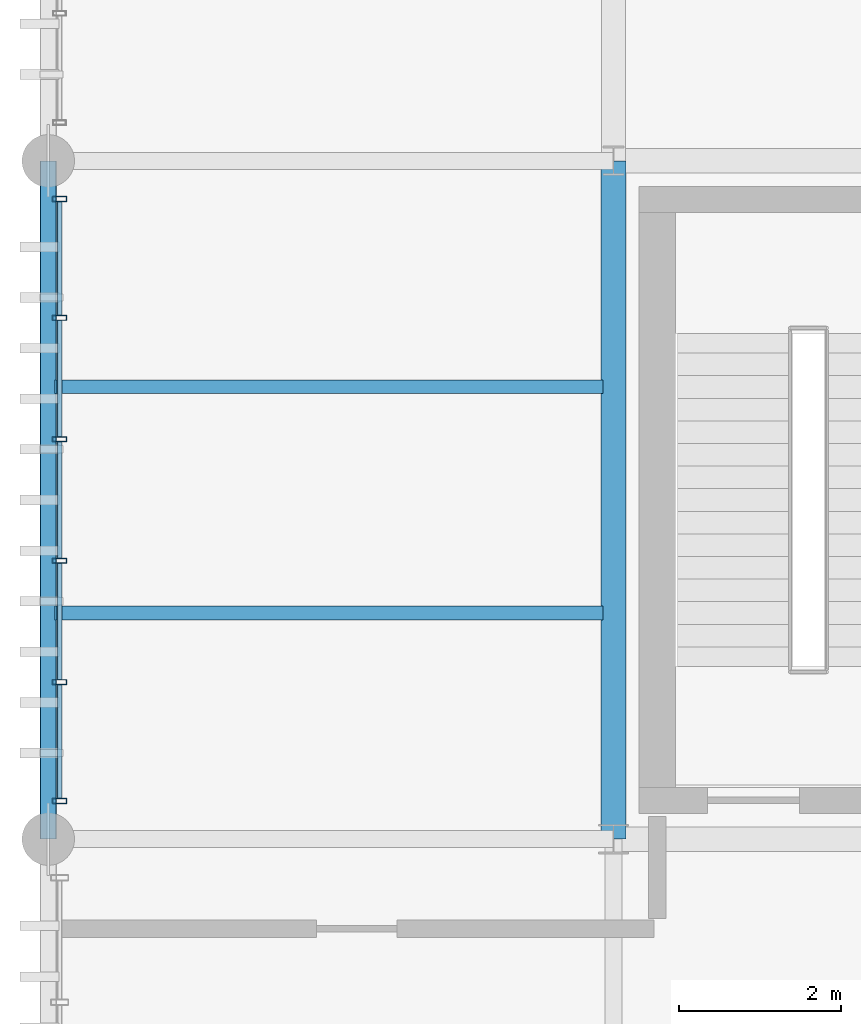
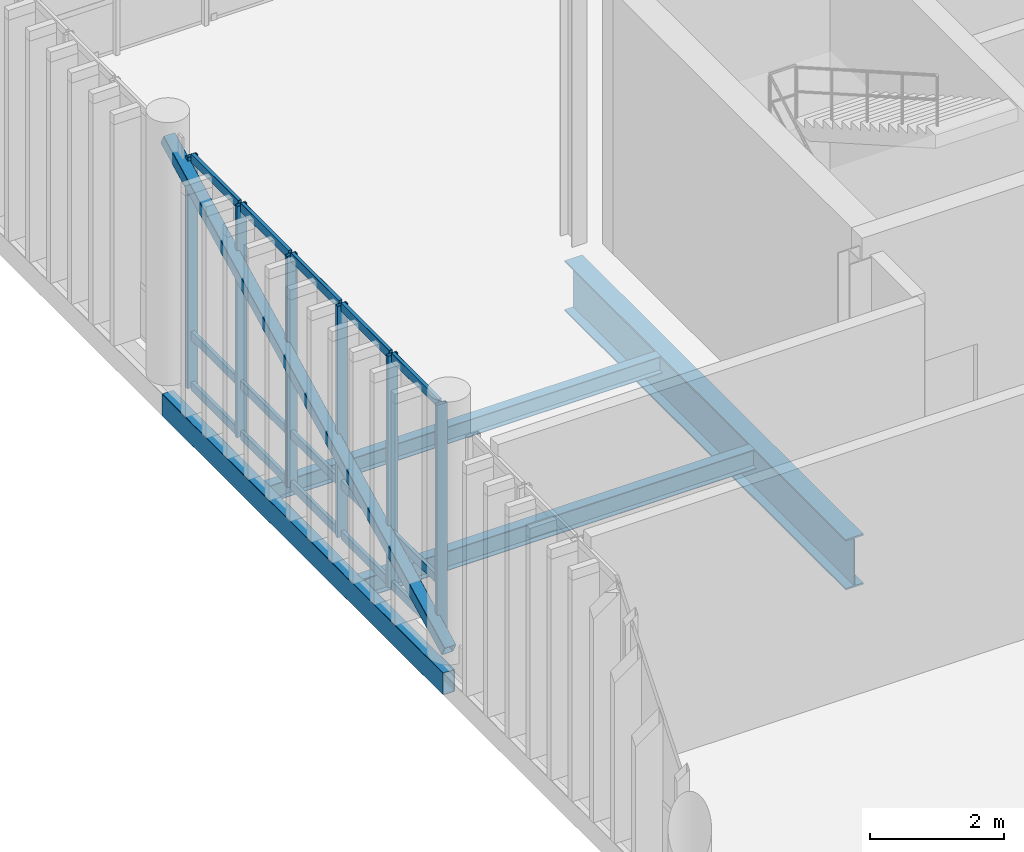
# One storey, part 13 of 86: 22 members, 4 beams, 1 element without a shape of its own.
"""IFC4 building model written with IfcOpenShell, lengths in metres."""

from ifc_helpers import new_model, si_unit, direction, frame, origin_with_axes, origin_2d_with_axis, place, context, subcontext, project, spatial, hollow_rectangle, i_section, extrude, material, material_profile, profile_set, type_object, element, aggregate, save


model = new_model("IFC4")

# Units and contexts
model_context = context("Model", 3, precision=1e-05, world=origin_with_axes(), true_north=direction((0.0, 1.0)))
body_context = subcontext(model_context, "Body", "Model", "MODEL_VIEW")
ifc_project = project(units=[si_unit("LENGTHUNIT", "METRE"), si_unit("AREAUNIT", "SQUARE_METRE"), si_unit("VOLUMEUNIT", "CUBIC_METRE"), si_unit("PLANEANGLEUNIT", "RADIAN"), si_unit("MASSUNIT", "GRAM", prefix="KILO"), si_unit("THERMODYNAMICTEMPERATUREUNIT", "KELVIN")], contexts=[model_context])

# Site, building, storey
site_placement = place(None, origin_with_axes())
site = spatial("IfcSite", under=ifc_project, at=site_placement, CompositionType="ELEMENT")
building_placement = place(site_placement, origin_with_axes())
building = spatial("IfcBuilding", under=site, at=building_placement, Name="Montbau Bow Law Courts", CompositionType="ELEMENT")
storey_placement = place(building_placement, frame((0.0, 0.0, 29.7), z_axis=(0.0, 0.0, 1.0), x_axis=(1.0, 0.0, 0.0)))
storey = spatial("IfcBuildingStorey", under=building, at=storey_placement, Name="L06", CompositionType="ELEMENT", Elevation=29.7)

# Beams
ifc_material_1 = material(Name="Steel CSA G40.21 Grade 350W (350 MPa)", Category="steel")
ifc_material_profile_1 = material_profile(ifc_material_1, i_section(OverallWidth=0.306, OverallDepth=0.919, WebThickness=0.0173, FlangeThickness=0.0279, at=origin_2d_with_axis()), Name="W920X253", Category="Main", Priority=0)
ifc_profile_set_1 = profile_set([ifc_material_profile_1], Name="Steel CSA G40.21 Grade 350W (350 MPa)")
beam_type_1 = type_object("IfcBeamType", Name="B-FLR-01", PredefinedType="BEAM", material=ifc_profile_set_1)
beam_1_placement = place(None, frame((13.8, 46.2, 28.901), z_axis=(0.0, 1.0, 0.0), x_axis=(-1.0, 0.0, 0.0)))
element("IfcBeam", 1, at=beam_1_placement, inside=storey, type_object=beam_type_1, Name="BM-L06-S0696:bm2_0699", PredefinedType="BEAM", context=body_context, shape_type="SweptSolid", body=[
    extrude(i_section(OverallWidth=0.306, OverallDepth=0.919, WebThickness=0.0173, FlangeThickness=0.0279, at=origin_2d_with_axis()), origin_with_axes(), (0.0, 0.0, 1.0), 8.4),
])
ifc_material_profile_2 = material_profile(ifc_material_1, i_section(OverallWidth=0.172, OverallDepth=0.358, WebThickness=0.0079, FlangeThickness=0.0131, at=origin_2d_with_axis()), Name="W360X57", Category="Main", Priority=0)
ifc_profile_set_2 = profile_set([ifc_material_profile_2], Name="Steel CSA G40.21 Grade 350W (350 MPa)")
beam_type_2 = type_object("IfcBeamType", Name="B-JST-03", PredefinedType="JOIST", material=ifc_profile_set_2)
beam_2_placement = place(None, frame((6.88, 49.0, 29.181), z_axis=(1.0, 0.0, 0.0), x_axis=(0.0, 1.0, 0.0)))
element("IfcBeam", 2, at=beam_2_placement, inside=storey, type_object=beam_type_2, Name="JST-L06-S0334:jst2_0334", PredefinedType="JOIST", context=body_context, shape_type="SweptSolid", body=[
    extrude(i_section(OverallWidth=0.172, OverallDepth=0.358, WebThickness=0.0079, FlangeThickness=0.0131, at=origin_2d_with_axis()), origin_with_axes(), (0.0, 0.0, 1.0), 6.791),
])
ifc_material_profile_3 = material_profile(ifc_material_1, i_section(OverallWidth=0.166, OverallDepth=0.313, WebThickness=0.0066, FlangeThickness=0.0112, at=origin_2d_with_axis()), Name="W310X45", Category="Main", Priority=0)
ifc_profile_set_3 = profile_set([ifc_material_profile_3], Name="Steel CSA G40.21 Grade 350W (350 MPa)")
beam_type_3 = type_object("IfcBeamType", Name="B-JST-04", PredefinedType="JOIST", material=ifc_profile_set_3)
beam_3_placement = place(None, frame((6.88, 51.8, 29.203), z_axis=(1.0, 0.0, 0.0), x_axis=(0.0, 1.0, 0.0)))
element("IfcBeam", 3, at=beam_3_placement, inside=storey, type_object=beam_type_3, Name="JST-L06-S0335:jst2_0335", PredefinedType="JOIST", context=body_context, shape_type="SweptSolid", body=[
    extrude(i_section(OverallWidth=0.166, OverallDepth=0.313, WebThickness=0.0066, FlangeThickness=0.0112, at=origin_2d_with_axis()), origin_with_axes(), (0.0, 0.0, 1.0), 6.791),
])
ifc_material_2 = material(Name="Steel CSA G40.21 Grade 350WT (350 MPa)", Category="steel")
ifc_material_profile_4 = material_profile(ifc_material_2, hollow_rectangle(XDim=0.203, YDim=0.406, WallThickness=0.0127, InnerFilletRadius=0.0254, OuterFilletRadius=0.0127, at=origin_2d_with_axis()), Name="HSS406X203X13", Category="Main", Priority=0)
ifc_profile_set_4 = profile_set([ifc_material_profile_4], Name="Steel CSA G40.21 Grade 350WT (350 MPa)")
beam_type_4 = type_object("IfcBeamType", Name="B-SPN-01", PredefinedType="SPANDREL", material=ifc_profile_set_4)
beam_4_placement = place(None, frame((6.8, 46.2, 29.157), z_axis=(0.0, 1.0, 0.0), x_axis=(-1.0, 0.0, 0.0)))
element("IfcBeam", 4, at=beam_4_placement, inside=storey, type_object=beam_type_4, Name="SPN-L06-S0693:bm2_0696", PredefinedType="SPANDREL", context=body_context, shape_type="SweptSolid", body=[
    extrude(hollow_rectangle(XDim=0.203, YDim=0.406, WallThickness=0.0127, InnerFilletRadius=0.0254, OuterFilletRadius=0.0127, at=origin_2d_with_axis()), origin_with_axes(), (0.0, 0.0, 1.0), 8.4),
])

# Member
ifc_material_profile_5 = material_profile(ifc_material_1, hollow_rectangle(XDim=0.203, YDim=0.203, WallThickness=0.0111, InnerFilletRadius=0.0222, OuterFilletRadius=0.0111, at=origin_2d_with_axis()), Name="HSS203X203X11", Category="Main", Priority=0)
ifc_profile_set_5 = profile_set([ifc_material_profile_5], Name="Steel CSA G40.21 Grade 350W (350 MPa)")
member_type_1 = type_object("IfcMemberType", Name="M-BRC-02", PredefinedType="BRACE", material=ifc_profile_set_5)
member_1_placement = place(None, frame((6.8, 46.2, 29.75), z_axis=(0.0, 0.892420948, 0.451203781), x_axis=(-1.0, 0.0, 0.0)))
element("IfcMember", 5, at=member_1_placement, inside=storey, type_object=member_type_1, Name="Diagonal brace CBF-L06-043A", PredefinedType="BRACE", context=body_context, shape_type="SweptSolid", body=[
    extrude(hollow_rectangle(XDim=0.203, YDim=0.203, WallThickness=0.0111, InnerFilletRadius=0.0222, OuterFilletRadius=0.0111, at=origin_2d_with_axis()), origin_with_axes(), (0.0, 0.0, 1.0), 9.412598),
])

# Curtain wall, members
ifc_material_3 = material(Name="Thermally Broken Extruded Aluminium AA 6063-T6", Category="aluminium")
curtain_wall_type = type_object("IfcCurtainWallType", Name="CW-TRC-02", PredefinedType="NOTDEFINED", material=ifc_material_3)
curtain_wall_placement = place(None, frame((6.94, 46.64, 29.7), z_axis=(0.0, 0.0, 1.0), x_axis=(1.0, 0.0, 0.0)))
curtain_wall = element("IfcCurtainWall", 6, at=curtain_wall_placement, inside=storey, type_object=curtain_wall_type, Name="CW-L06-106:cw_0106", PredefinedType="NOTDEFINED")
ifc_material_profile_6 = material_profile(ifc_material_3, hollow_rectangle(XDim=0.065, YDim=0.18, WallThickness=0.005, InnerFilletRadius=0.01, OuterFilletRadius=0.005, at=origin_2d_with_axis()), Name="CWM-180X65", Category="Main", Priority=0)
ifc_profile_set_6 = profile_set([ifc_material_profile_6], Name="Thermally Broken Extruded Aluminium AA 6063-T6")
member_type_2 = type_object("IfcMemberType", Name="M-MUL-02", PredefinedType="MULLION", material=ifc_profile_set_6)
member_2_placement = place(None, frame((6.94, 46.673, 29.7), z_axis=(0.0, 0.0, 1.0), x_axis=(0.0, 1.0, 0.0)))
member_2 = element("IfcMember", 7, at=member_2_placement, type_object=member_type_2, Name="CW-L06-106-M01:cw_0106_M01", PredefinedType="MULLION", context=body_context, shape_type="SweptSolid", body=[
    extrude(hollow_rectangle(XDim=0.065, YDim=0.18, WallThickness=0.005, InnerFilletRadius=0.01, OuterFilletRadius=0.005, at=origin_2d_with_axis()), origin_with_axes(), (0.0, 0.0, 1.0), 4.22),
])
member_3_placement = place(None, frame((6.94, 48.144, 29.7), z_axis=(0.0, 0.0, 1.0), x_axis=(0.0, 1.0, 0.0)))
member_3 = element("IfcMember", 8, at=member_3_placement, type_object=member_type_2, Name="CW-L06-106-M02:cw_0106_M02", PredefinedType="MULLION", context=body_context, shape_type="SweptSolid", body=[
    extrude(hollow_rectangle(XDim=0.065, YDim=0.18, WallThickness=0.005, InnerFilletRadius=0.01, OuterFilletRadius=0.005, at=origin_2d_with_axis()), origin_with_axes(), (0.0, 0.0, 1.0), 4.22),
])
member_4_placement = place(None, frame((6.94, 49.648, 29.7), z_axis=(0.0, 0.0, 1.0), x_axis=(0.0, 1.0, 0.0)))
member_4 = element("IfcMember", 9, at=member_4_placement, type_object=member_type_2, Name="CW-L06-106-M03:cw_0106_M03", PredefinedType="MULLION", context=body_context, shape_type="SweptSolid", body=[
    extrude(hollow_rectangle(XDim=0.065, YDim=0.18, WallThickness=0.005, InnerFilletRadius=0.01, OuterFilletRadius=0.005, at=origin_2d_with_axis()), origin_with_axes(), (0.0, 0.0, 1.0), 4.22),
])
member_5_placement = place(None, frame((6.94, 51.152, 29.7), z_axis=(0.0, 0.0, 1.0), x_axis=(0.0, 1.0, 0.0)))
member_5 = element("IfcMember", 10, at=member_5_placement, type_object=member_type_2, Name="CW-L06-106-M04:cw_0106_M04", PredefinedType="MULLION", context=body_context, shape_type="SweptSolid", body=[
    extrude(hollow_rectangle(XDim=0.065, YDim=0.18, WallThickness=0.005, InnerFilletRadius=0.01, OuterFilletRadius=0.005, at=origin_2d_with_axis()), origin_with_axes(), (0.0, 0.0, 1.0), 4.22),
])
member_6_placement = place(None, frame((6.94, 52.656, 29.7), z_axis=(0.0, 0.0, 1.0), x_axis=(0.0, 1.0, 0.0)))
member_6 = element("IfcMember", 11, at=member_6_placement, type_object=member_type_2, Name="CW-L06-106-M05:cw_0106_M05", PredefinedType="MULLION", context=body_context, shape_type="SweptSolid", body=[
    extrude(hollow_rectangle(XDim=0.065, YDim=0.18, WallThickness=0.005, InnerFilletRadius=0.01, OuterFilletRadius=0.005, at=origin_2d_with_axis()), origin_with_axes(), (0.0, 0.0, 1.0), 4.22),
])
member_7_placement = place(None, frame((6.94, 54.127, 29.7), z_axis=(0.0, 0.0, 1.0), x_axis=(0.0, 1.0, 0.0)))
member_7 = element("IfcMember", 12, at=member_7_placement, type_object=member_type_2, Name="CW-L06-106-M06:cw_0106_M06", PredefinedType="MULLION", context=body_context, shape_type="SweptSolid", body=[
    extrude(hollow_rectangle(XDim=0.065, YDim=0.18, WallThickness=0.005, InnerFilletRadius=0.01, OuterFilletRadius=0.005, at=origin_2d_with_axis()), origin_with_axes(), (0.0, 0.0, 1.0), 4.22),
])
ifc_material_profile_7 = material_profile(ifc_material_3, hollow_rectangle(XDim=0.06, YDim=0.16, WallThickness=0.004, InnerFilletRadius=0.008, OuterFilletRadius=0.004, at=origin_2d_with_axis()), Name="CWT-160X60", Category="Main", Priority=0)
ifc_profile_set_7 = profile_set([ifc_material_profile_7], Name="Thermally Broken Extruded Aluminium AA 6063-T6")
member_type_3 = type_object("IfcMemberType", Name="M-TRN-01", PredefinedType="USERDEFINED", material=ifc_profile_set_7)
member_8_placement = place(None, frame((6.94, 46.708, 29.73), z_axis=(0.0, 1.0, 0.0), x_axis=(-1.0, 0.0, 0.0)))
member_8 = element("IfcMember", 13, at=member_8_placement, type_object=member_type_3, Name="CW-L06-106-T01-1:cw_0106_T01_1", ObjectType="TRANSOM", PredefinedType="USERDEFINED", context=body_context, shape_type="SweptSolid", body=[
    extrude(hollow_rectangle(XDim=0.06, YDim=0.16, WallThickness=0.004, InnerFilletRadius=0.008, OuterFilletRadius=0.004, at=origin_2d_with_axis()), origin_with_axes(), (0.0, 0.0, 1.0), 1.402),
])
member_9_placement = place(None, frame((6.94, 46.708, 30.65), z_axis=(0.0, 1.0, 0.0), x_axis=(-1.0, 0.0, 0.0)))
member_9 = element("IfcMember", 14, at=member_9_placement, type_object=member_type_3, Name="CW-L06-106-T01-2:cw_0106_T01_2", ObjectType="TRANSOM", PredefinedType="USERDEFINED", context=body_context, shape_type="SweptSolid", body=[
    extrude(hollow_rectangle(XDim=0.06, YDim=0.16, WallThickness=0.004, InnerFilletRadius=0.008, OuterFilletRadius=0.004, at=origin_2d_with_axis()), origin_with_axes(), (0.0, 0.0, 1.0), 1.402),
])
member_10_placement = place(None, frame((6.94, 46.708, 33.89), z_axis=(0.0, 1.0, 0.0), x_axis=(-1.0, 0.0, 0.0)))
member_10 = element("IfcMember", 15, at=member_10_placement, type_object=member_type_3, Name="CW-L06-106-T01-3:cw_0106_T01_3", ObjectType="TRANSOM", PredefinedType="USERDEFINED", context=body_context, shape_type="SweptSolid", body=[
    extrude(hollow_rectangle(XDim=0.06, YDim=0.16, WallThickness=0.004, InnerFilletRadius=0.008, OuterFilletRadius=0.004, at=origin_2d_with_axis()), origin_with_axes(), (0.0, 0.0, 1.0), 1.402),
])
member_11_placement = place(None, frame((6.94, 48.178, 29.73), z_axis=(0.0, 1.0, 0.0), x_axis=(-1.0, 0.0, 0.0)))
member_11 = element("IfcMember", 16, at=member_11_placement, type_object=member_type_3, Name="CW-L06-106-T02-1:cw_0106_T02_1", ObjectType="TRANSOM", PredefinedType="USERDEFINED", context=body_context, shape_type="SweptSolid", body=[
    extrude(hollow_rectangle(XDim=0.06, YDim=0.16, WallThickness=0.004, InnerFilletRadius=0.008, OuterFilletRadius=0.004, at=origin_2d_with_axis()), origin_with_axes(), (0.0, 0.0, 1.0), 1.436),
])
member_12_placement = place(None, frame((6.94, 48.178, 30.65), z_axis=(0.0, 1.0, 0.0), x_axis=(-1.0, 0.0, 0.0)))
member_12 = element("IfcMember", 17, at=member_12_placement, type_object=member_type_3, Name="CW-L06-106-T02-2:cw_0106_T02_2", ObjectType="TRANSOM", PredefinedType="USERDEFINED", context=body_context, shape_type="SweptSolid", body=[
    extrude(hollow_rectangle(XDim=0.06, YDim=0.16, WallThickness=0.004, InnerFilletRadius=0.008, OuterFilletRadius=0.004, at=origin_2d_with_axis()), origin_with_axes(), (0.0, 0.0, 1.0), 1.436),
])
member_13_placement = place(None, frame((6.94, 48.178, 33.89), z_axis=(0.0, 1.0, 0.0), x_axis=(-1.0, 0.0, 0.0)))
member_13 = element("IfcMember", 18, at=member_13_placement, type_object=member_type_3, Name="CW-L06-106-T02-3:cw_0106_T02_3", ObjectType="TRANSOM", PredefinedType="USERDEFINED", context=body_context, shape_type="SweptSolid", body=[
    extrude(hollow_rectangle(XDim=0.06, YDim=0.16, WallThickness=0.004, InnerFilletRadius=0.008, OuterFilletRadius=0.004, at=origin_2d_with_axis()), origin_with_axes(), (0.0, 0.0, 1.0), 1.436),
])
member_14_placement = place(None, frame((6.94, 49.682, 29.73), z_axis=(0.0, 1.0, 0.0), x_axis=(-1.0, 0.0, 0.0)))
member_14 = element("IfcMember", 19, at=member_14_placement, type_object=member_type_3, Name="CW-L06-106-T03-1:cw_0106_T03_1", ObjectType="TRANSOM", PredefinedType="USERDEFINED", context=body_context, shape_type="SweptSolid", body=[
    extrude(hollow_rectangle(XDim=0.06, YDim=0.16, WallThickness=0.004, InnerFilletRadius=0.008, OuterFilletRadius=0.004, at=origin_2d_with_axis()), origin_with_axes(), (0.0, 0.0, 1.0), 1.436),
])
member_15_placement = place(None, frame((6.94, 49.682, 30.65), z_axis=(0.0, 1.0, 0.0), x_axis=(-1.0, 0.0, 0.0)))
member_15 = element("IfcMember", 20, at=member_15_placement, type_object=member_type_3, Name="CW-L06-106-T03-2:cw_0106_T03_2", ObjectType="TRANSOM", PredefinedType="USERDEFINED", context=body_context, shape_type="SweptSolid", body=[
    extrude(hollow_rectangle(XDim=0.06, YDim=0.16, WallThickness=0.004, InnerFilletRadius=0.008, OuterFilletRadius=0.004, at=origin_2d_with_axis()), origin_with_axes(), (0.0, 0.0, 1.0), 1.436),
])
member_16_placement = place(None, frame((6.94, 49.682, 33.89), z_axis=(0.0, 1.0, 0.0), x_axis=(-1.0, 0.0, 0.0)))
member_16 = element("IfcMember", 21, at=member_16_placement, type_object=member_type_3, Name="CW-L06-106-T03-3:cw_0106_T03_3", ObjectType="TRANSOM", PredefinedType="USERDEFINED", context=body_context, shape_type="SweptSolid", body=[
    extrude(hollow_rectangle(XDim=0.06, YDim=0.16, WallThickness=0.004, InnerFilletRadius=0.008, OuterFilletRadius=0.004, at=origin_2d_with_axis()), origin_with_axes(), (0.0, 0.0, 1.0), 1.436),
])
member_17_placement = place(None, frame((6.94, 51.186, 29.73), z_axis=(0.0, 1.0, 0.0), x_axis=(-1.0, 0.0, 0.0)))
member_17 = element("IfcMember", 22, at=member_17_placement, type_object=member_type_3, Name="CW-L06-106-T04-1:cw_0106_T04_1", ObjectType="TRANSOM", PredefinedType="USERDEFINED", context=body_context, shape_type="SweptSolid", body=[
    extrude(hollow_rectangle(XDim=0.06, YDim=0.16, WallThickness=0.004, InnerFilletRadius=0.008, OuterFilletRadius=0.004, at=origin_2d_with_axis()), origin_with_axes(), (0.0, 0.0, 1.0), 1.436),
])
member_18_placement = place(None, frame((6.94, 51.186, 30.65), z_axis=(0.0, 1.0, 0.0), x_axis=(-1.0, 0.0, 0.0)))
member_18 = element("IfcMember", 23, at=member_18_placement, type_object=member_type_3, Name="CW-L06-106-T04-2:cw_0106_T04_2", ObjectType="TRANSOM", PredefinedType="USERDEFINED", context=body_context, shape_type="SweptSolid", body=[
    extrude(hollow_rectangle(XDim=0.06, YDim=0.16, WallThickness=0.004, InnerFilletRadius=0.008, OuterFilletRadius=0.004, at=origin_2d_with_axis()), origin_with_axes(), (0.0, 0.0, 1.0), 1.436),
])
member_19_placement = place(None, frame((6.94, 51.186, 33.89), z_axis=(0.0, 1.0, 0.0), x_axis=(-1.0, 0.0, 0.0)))
member_19 = element("IfcMember", 24, at=member_19_placement, type_object=member_type_3, Name="CW-L06-106-T04-3:cw_0106_T04_3", ObjectType="TRANSOM", PredefinedType="USERDEFINED", context=body_context, shape_type="SweptSolid", body=[
    extrude(hollow_rectangle(XDim=0.06, YDim=0.16, WallThickness=0.004, InnerFilletRadius=0.008, OuterFilletRadius=0.004, at=origin_2d_with_axis()), origin_with_axes(), (0.0, 0.0, 1.0), 1.436),
])
member_20_placement = place(None, frame((6.94, 52.69, 29.73), z_axis=(0.0, 1.0, 0.0), x_axis=(-1.0, 0.0, 0.0)))
member_20 = element("IfcMember", 25, at=member_20_placement, type_object=member_type_3, Name="CW-L06-106-T05-1:cw_0106_T05_1", ObjectType="TRANSOM", PredefinedType="USERDEFINED", context=body_context, shape_type="SweptSolid", body=[
    extrude(hollow_rectangle(XDim=0.06, YDim=0.16, WallThickness=0.004, InnerFilletRadius=0.008, OuterFilletRadius=0.004, at=origin_2d_with_axis()), origin_with_axes(), (0.0, 0.0, 1.0), 1.403),
])
member_21_placement = place(None, frame((6.94, 52.69, 30.65), z_axis=(0.0, 1.0, 0.0), x_axis=(-1.0, 0.0, 0.0)))
member_21 = element("IfcMember", 26, at=member_21_placement, type_object=member_type_3, Name="CW-L06-106-T05-2:cw_0106_T05_2", ObjectType="TRANSOM", PredefinedType="USERDEFINED", context=body_context, shape_type="SweptSolid", body=[
    extrude(hollow_rectangle(XDim=0.06, YDim=0.16, WallThickness=0.004, InnerFilletRadius=0.008, OuterFilletRadius=0.004, at=origin_2d_with_axis()), origin_with_axes(), (0.0, 0.0, 1.0), 1.403),
])
member_22_placement = place(None, frame((6.94, 52.69, 33.89), z_axis=(0.0, 1.0, 0.0), x_axis=(-1.0, 0.0, 0.0)))
member_22 = element("IfcMember", 27, at=member_22_placement, type_object=member_type_3, Name="CW-L06-106-T05-3:cw_0106_T05_3", ObjectType="TRANSOM", PredefinedType="USERDEFINED", context=body_context, shape_type="SweptSolid", body=[
    extrude(hollow_rectangle(XDim=0.06, YDim=0.16, WallThickness=0.004, InnerFilletRadius=0.008, OuterFilletRadius=0.004, at=origin_2d_with_axis()), origin_with_axes(), (0.0, 0.0, 1.0), 1.403),
])
aggregate(curtain_wall, [member_2, member_3, member_4, member_5, member_6, member_7, member_8, member_9, member_10, member_11, member_12, member_13, member_14, member_15, member_16, member_17, member_18, member_19, member_20, member_21, member_22])

save(model, "model.ifc")
